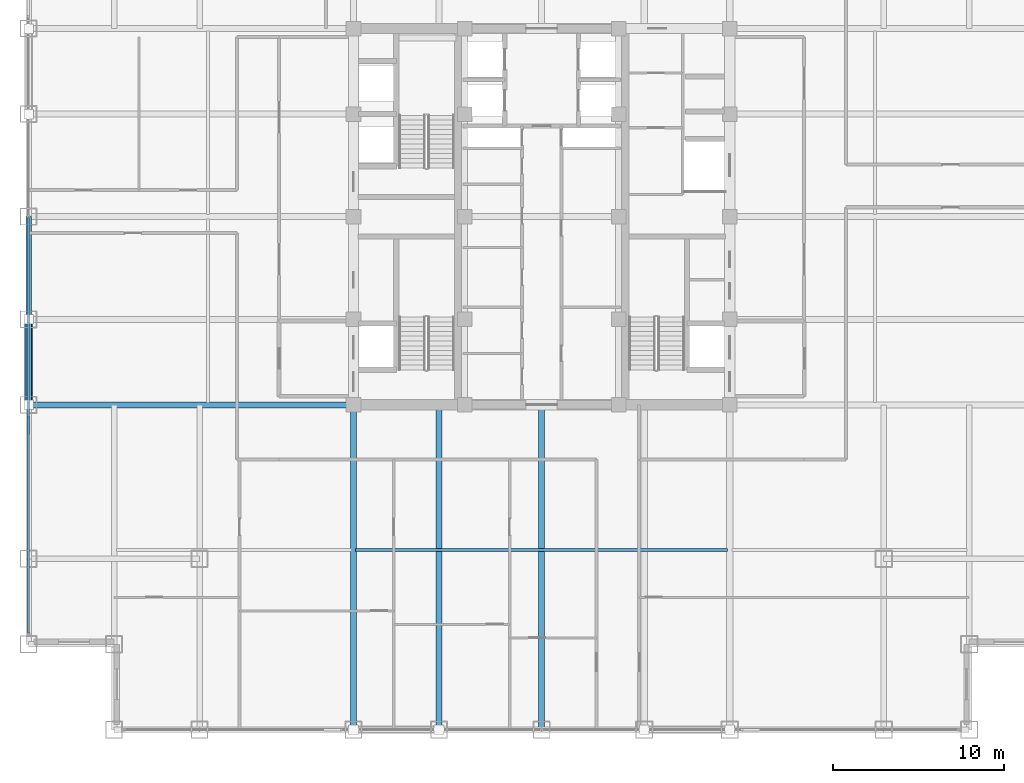
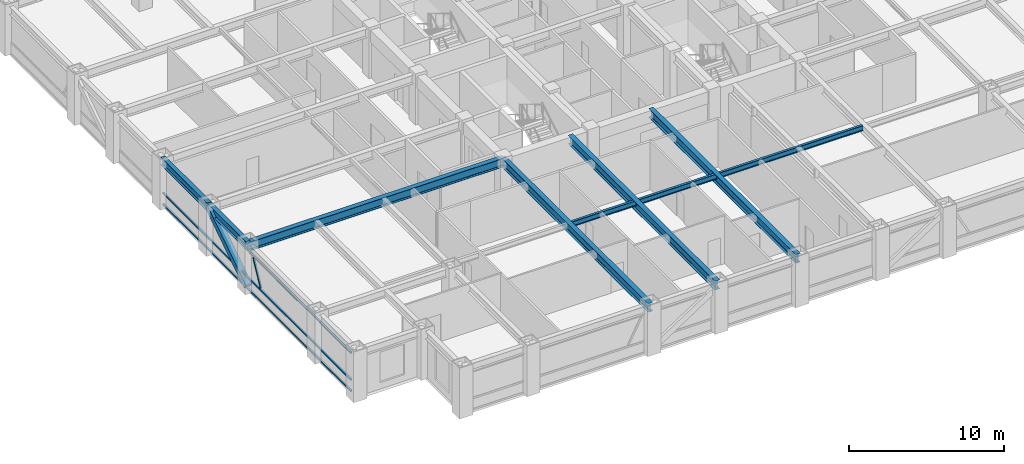
# One storey, part 5 of 24: 7 beams, 5 members, 1 element without a shape of its own.
"""IFC4 building model written with IfcOpenShell, lengths in metres."""

from ifc_helpers import new_model, si_unit, direction, frame, origin, origin_2d, place, context, subcontext, project, spatial, hollow_rectangle, i_section, extrude, source, transform, mapped, material, material_profile, profile_set, type_object, element, aggregate, save


model = new_model("IFC4")

# Units and contexts
model_context = context("Model", 3, precision=1e-05, world=origin(), true_north=direction((0.0, 1.0)))
body_context = subcontext(model_context, "Body", "Model", "MODEL_VIEW")
ifc_project = project(units=[si_unit("LENGTHUNIT", "METRE"), si_unit("AREAUNIT", "SQUARE_METRE"), si_unit("VOLUMEUNIT", "CUBIC_METRE"), si_unit("PLANEANGLEUNIT", "RADIAN"), si_unit("MASSUNIT", "GRAM", prefix="KILO")], contexts=[model_context])

# Site, building, storey
site_placement = place(None, origin())
site = spatial("IfcSite", under=ifc_project, at=site_placement, CompositionType="ELEMENT")
building_placement = place(site_placement, origin())
building = spatial("IfcBuilding", under=site, at=building_placement, Name="Khorayat Bourse Tower", CompositionType="ELEMENT")
storey_placement = place(building_placement, frame((0.0, 0.0, 215.10009765625)))
storey = spatial("IfcBuildingStorey", under=building, at=storey_placement, Name="L50", CompositionType="ELEMENT", Elevation=215.10009765625)

# Beams
ifc_material_1 = material(Name="Steel ASTM A992 Grade 50", Category="steel")
ifc_material_profile_1 = material_profile(ifc_material_1, i_section(OverallWidth=0.180908203125, OverallDepth=0.4169921875, WebThickness=0.010986328125, FlangeThickness=0.018310546875, FilletRadius=0.011962890625, at=origin_2d()), Name="W410X85")
ifc_profile_set_1 = profile_set([ifc_material_profile_1], Name="Steel ASTM A992 Grade 50")
beam_type_1 = type_object("IfcBeamType", Name="BM-JOIST-410", PredefinedType="JOIST", material=ifc_profile_set_1)
shared_shape_1 = source(origin(), body_context, "Body", "SweptSolid", [
    extrude(i_section(OverallWidth=0.180908203125, OverallDepth=0.4169921875, WebThickness=0.010986328125, FlangeThickness=0.018310546875, FilletRadius=0.011962890625, at=origin_2d()), origin(), (0.0, 0.0, 1.0), 21.740234375),
])
beam_1_placement = place(storey_placement, frame((-10.8701171875, -19.5, 3.5712890625), z_axis=(1.0, 0.0, 0.0), x_axis=(0.0, 1.0, 0.0)))
element("IfcBeam", 1, at=beam_1_placement, inside=storey, type_object=beam_type_1, Name="L50 BM-JOIST-410 BM-L50-JSTX-097", PredefinedType="JOIST", context=body_context, shape_type="MappedRepresentation", body=[
    mapped(shared_shape_1, transform((0.0, 0.0, 0.0), scale=1.0)),
])
ifc_material_profile_2 = material_profile(ifc_material_1, i_section(OverallWidth=0.324951171875, OverallDepth=0.615966796875, WebThickness=0.013916015625, FlangeThickness=0.021484375, FilletRadius=0.01611328125, at=origin_2d()), Name="W610X174")
ifc_profile_set_2 = profile_set([ifc_material_profile_2], Name="Steel ASTM A992 Grade 50")
beam_type_2 = type_object("IfcBeamType", Name="BM-SPAN-610", PredefinedType="SPANDREL", material=ifc_profile_set_2)
shared_shape_2 = source(origin(), body_context, "Body", "SweptSolid", [
    extrude(i_section(OverallWidth=0.324951171875, OverallDepth=0.615966796875, WebThickness=0.013916015625, FlangeThickness=0.021484375, FilletRadius=0.01611328125, at=origin_2d()), origin(), (0.0, 0.0, 1.0), 5.0),
])
beam_2_placement = place(storey_placement, frame((-30.0, -11.0, 3.471923828125), z_axis=(0.0, 1.0, 0.0), x_axis=(-1.0, 0.0, 0.0)))
element("IfcBeam", 2, at=beam_2_placement, inside=storey, type_object=beam_type_2, Name="L50 BM-SPAN-610 BM-L50-SPN-059", PredefinedType="SPANDREL", context=body_context, shape_type="MappedRepresentation", body=[
    mapped(shared_shape_2, transform((0.0, 0.0, 0.0), scale=1.0)),
])
shared_shape_3 = source(origin(), body_context, "Body", "SweptSolid", [
    extrude(i_section(OverallWidth=0.324951171875, OverallDepth=0.615966796875, WebThickness=0.013916015625, FlangeThickness=0.021484375, FilletRadius=0.01611328125, at=origin_2d()), origin(), (0.0, 0.0, 1.0), 6.0),
])
beam_3_placement = place(storey_placement, frame((-30.0, -6.0, 3.471923828125), z_axis=(0.0, 1.0, 0.0), x_axis=(-1.0, 0.0, 0.0)))
element("IfcBeam", 3, at=beam_3_placement, inside=storey, type_object=beam_type_2, Name="L50 BM-SPAN-610 BM-L50-SPN-058", PredefinedType="SPANDREL", context=body_context, shape_type="MappedRepresentation", body=[
    mapped(shared_shape_3, transform((0.0, 0.0, 0.0), scale=1.0)),
])
ifc_material_profile_3 = material_profile(ifc_material_1, i_section(OverallWidth=0.35498046875, OverallDepth=0.695068359375, WebThickness=0.015380859375, FlangeThickness=0.02490234375, FilletRadius=0.01806640625, at=origin_2d()), Name="W690X217")
ifc_profile_set_3 = profile_set([ifc_material_profile_3], Name="Steel ASTM A992 Grade 50")
beam_type_3 = type_object("IfcBeamType", Name="BM-GIRD-690", PredefinedType="BEAM", material=ifc_profile_set_3)
shared_shape_4 = source(origin(), body_context, "Body", "SweptSolid", [
    extrude(i_section(OverallWidth=0.35498046875, OverallDepth=0.695068359375, WebThickness=0.015380859375, FlangeThickness=0.02490234375, FilletRadius=0.01806640625, at=origin_2d()), origin(), (0.0, 0.0, 1.0), 19.0),
])
for number, where, z_axis, x_axis, name in (
    (4, (-11.0, -30.0, 3.432373046875), (0.0, 1.0, 0.0), (-1.0, 0.0, 0.0), "L50 BM-GIRD-690 BM-L50-RADY-065"),
    (5, (-6.0, -30.0, 3.432373046875), (0.0, 1.0, 0.0), (-1.0, 0.0, 0.0), "L50 BM-GIRD-690 BM-L50-RADY-067"),
    (6, (0.0, -30.0, 3.432373046875), (0.0, 1.0, 0.0), (-1.0, 0.0, 0.0), "L50 BM-GIRD-690 BM-L50-RADY-069"),
    (7, (-30.0, -11.0, 3.432373046875), (1.0, 0.0, 0.0), (0.0, 1.0, 0.0), "L50 BM-GIRD-690 BM-L50-RADX-075"),
):
    element("IfcBeam", number, at=place(storey_placement, frame(where, z_axis=z_axis, x_axis=x_axis)), inside=storey, type_object=beam_type_3, Name=name, PredefinedType="BEAM", context=body_context, shape_type="MappedRepresentation", body=[
        mapped(shared_shape_4, transform((0.0, 0.0, 0.0), scale=1.0)),
    ])

# Member
ifc_material_2 = material(Name="Steel EN 10025-4 S460M", Category="steel")
ifc_material_profile_4 = material_profile(ifc_material_2, hollow_rectangle(XDim=0.449951171875, YDim=0.449951171875, WallThickness=0.02490234375, at=origin_2d()), Name="HSS 450x450x25")
ifc_profile_set_4 = profile_set([ifc_material_profile_4], Name="Steel EN 10025-4 S460M")
member_type_1 = type_object("IfcMemberType", Name="MBR-TUBE-450", PredefinedType="BRACE", material=ifc_profile_set_4)
shared_shape_5 = source(origin(), body_context, "Body", "SweptSolid", [
    extrude(hollow_rectangle(XDim=0.449951171875, YDim=0.449951171875, WallThickness=0.02490234375, at=origin_2d()), origin(), (0.0, 0.0, 1.0), 5.979736328125),
])
member_1_placement = place(storey_placement, frame((-30.0, -11.0, 0.25), z_axis=(0.0, 0.836160261256, 0.548485202623), x_axis=(-1.0, 0.0, 0.0)))
element("IfcMember", 8, at=member_1_placement, inside=storey, type_object=member_type_1, Name="L50 Perimeter Tube Brace 05", PredefinedType="BRACE", context=body_context, shape_type="MappedRepresentation", body=[
    mapped(shared_shape_5, transform((0.0, 0.0, 0.0), scale=1.0)),
])

# Curtain wall, members
ifc_material_3 = material(Name="Aluminium EN AW-6063 T6", Category="aluminium")
curtain_wall_type = type_object("IfcCurtainWallType", Name="CW-SYS-03", PredefinedType="NOTDEFINED", material=ifc_material_3)
curtain_wall_placement = place(storey_placement, origin())
curtain_wall = element("IfcCurtainWall", 9, at=curtain_wall_placement, inside=storey, type_object=curtain_wall_type, Name="L50 Curtain Wall CW-L50-W1", PredefinedType="NOTDEFINED")
ifc_material_profile_5 = material_profile(ifc_material_3, hollow_rectangle(XDim=0.1201171875, YDim=0.1201171875, WallThickness=0.0048828125, at=origin_2d()), Name="ALU 120x120x5")
ifc_profile_set_5 = profile_set([ifc_material_profile_5], Name="Aluminium EN AW-6063 T6")
member_type_2 = type_object("IfcMemberType", Name="CWM-DIAG-120", PredefinedType="MULLION", material=ifc_profile_set_5)
shared_shape_6 = source(origin(), body_context, "Body", "SweptSolid", [
    extrude(hollow_rectangle(XDim=0.1201171875, YDim=0.1201171875, WallThickness=0.0048828125, at=origin_2d()), origin(), (0.0, 0.0, 1.0), 2.079345703125),
])
member_2_placement = place(storey_placement, frame((-30.0, -12.67919921875, 1.08984375), z_axis=(0.0, 0.465760949701, 0.884910581773), x_axis=(-1.0, 0.0, 0.0)))
member_2 = element("IfcMember", 10, at=member_2_placement, type_object=member_type_2, Name="CW-L50-W1 Faceted Diagonal Mullion 1", PredefinedType="MULLION", context=body_context, shape_type="MappedRepresentation", body=[
    mapped(shared_shape_6, transform((0.0, 0.0, 0.0), scale=1.0)),
])
ifc_material_profile_6 = material_profile(ifc_material_3, hollow_rectangle(XDim=0.1201171875, YDim=0.1201171875, WallThickness=0.0048828125, at=origin_2d()), Name="ALU 120x120x5")
ifc_profile_set_6 = profile_set([ifc_material_profile_6], Name="Aluminium EN AW-6063 T6")
member_type_3 = type_object("IfcMemberType", Name="CWT-HORZ-120", PredefinedType="USERDEFINED", material=ifc_profile_set_6)
shared_shape_7 = source(origin(), body_context, "Body", "SweptSolid", [
    extrude(hollow_rectangle(XDim=0.1201171875, YDim=0.1201171875, WallThickness=0.0048828125, at=origin_2d()), origin(), (0.0, 0.0, 1.0), 24.27001953125),
])
member_3_placement = place(storey_placement, frame((-30.0, -24.330078125, 0.059814453125), z_axis=(0.0, 1.0, 0.0), x_axis=(-1.0, 0.0, 0.0)))
member_3 = element("IfcMember", 11, at=member_3_placement, type_object=member_type_3, Name="CW-L50-W1 Horizontal Transom 1-1", ObjectType="TRANSOM", PredefinedType="USERDEFINED", context=body_context, shape_type="MappedRepresentation", body=[
    mapped(shared_shape_7, transform((0.0, 0.0, 0.0), scale=1.0)),
])
member_4_placement = place(storey_placement, frame((-30.0, -24.330078125, 0.949951171875), z_axis=(0.0, 1.0, 0.0), x_axis=(-1.0, 0.0, 0.0)))
member_4 = element("IfcMember", 12, at=member_4_placement, type_object=member_type_3, Name="CW-L50-W1 Horizontal Transom 1-2", ObjectType="TRANSOM", PredefinedType="USERDEFINED", context=body_context, shape_type="MappedRepresentation", body=[
    mapped(shared_shape_7, transform((0.0, 0.0, 0.0), scale=1.0)),
])
member_5_placement = place(storey_placement, frame((-30.0, -24.330078125, 3.06982421875), z_axis=(0.0, 1.0, 0.0), x_axis=(-1.0, 0.0, 0.0)))
member_5 = element("IfcMember", 13, at=member_5_placement, type_object=member_type_3, Name="CW-L50-W1 Horizontal Transom 1-3", ObjectType="TRANSOM", PredefinedType="USERDEFINED", context=body_context, shape_type="MappedRepresentation", body=[
    mapped(shared_shape_7, transform((0.0, 0.0, 0.0), scale=1.0)),
])
aggregate(curtain_wall, [member_3, member_4, member_5, member_2])

save(model, "model.ifc")
